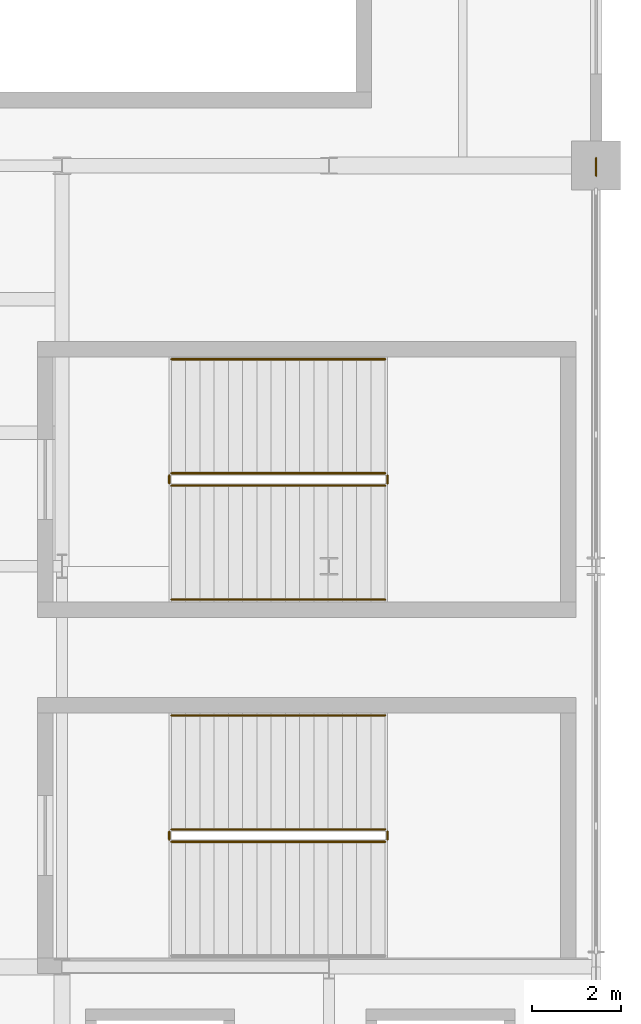
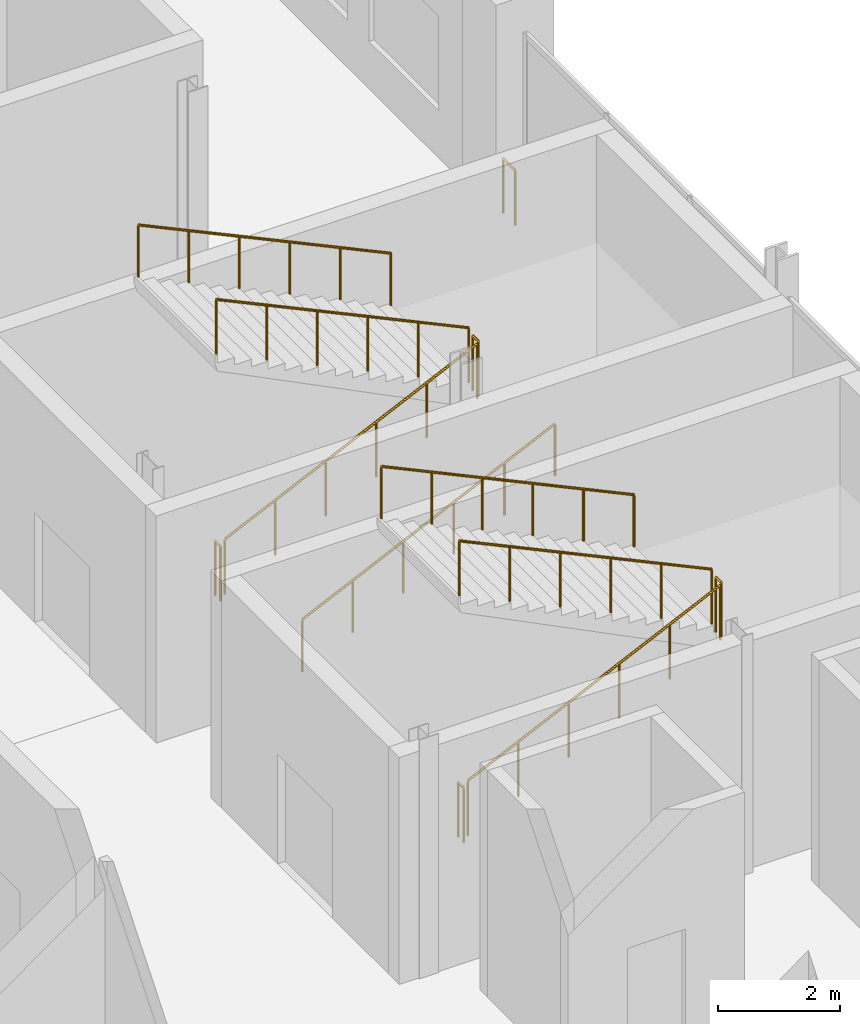
# One storey, part 50 of 50: 12 railings.
"""IFC4 building model written with IfcOpenShell, lengths in metres."""

from ifc_helpers import new_model, si_unit, direction, frame, origin, origin_2d, place, context, subcontext, project, spatial, circle, extrude, material, type_object, element, save


model = new_model("IFC4")

# Units and contexts
model_context = context("Model", 3, precision=1e-05, world=origin(), true_north=direction((0.0, 1.0)))
body_context = subcontext(model_context, "Body", "Model", "MODEL_VIEW")
ifc_project = project(units=[si_unit("LENGTHUNIT", "METRE"), si_unit("AREAUNIT", "SQUARE_METRE"), si_unit("VOLUMEUNIT", "CUBIC_METRE"), si_unit("PLANEANGLEUNIT", "RADIAN"), si_unit("MASSUNIT", "GRAM", prefix="KILO")], contexts=[model_context])

# Site, building, storey
site_placement = place(None, origin())
site = spatial("IfcSite", under=ifc_project, at=site_placement, CompositionType="ELEMENT")
building_placement = place(site_placement, origin())
building = spatial("IfcBuilding", under=site, at=building_placement, Name="Qamarlyn Nura Convention Centre", CompositionType="ELEMENT")
storey_placement = place(building_placement, frame((0.0, 0.0, 20.39990234375)))
storey = spatial("IfcBuildingStorey", under=building, at=storey_placement, Name="L04", CompositionType="ELEMENT", Elevation=20.39990234375)

# Railings
ifc_material = material(Name="Marine Grade 316 stainless steel", Category="steel")
railing_type_1 = type_object("IfcRailingType", Name="GRD-STAIR-112", PredefinedType="BALUSTRADE", material=ifc_material)
railing_1_placement = place(storey_placement, frame((182.4599609375, 65.81005859375, 0.150146484375)))
element("IfcRailing", 1, at=railing_1_placement, inside=storey, type_object=railing_type_1, Name="L04 ST-13 stair guard 1", PredefinedType="BALUSTRADE", context=body_context, shape_type="SweptSolid", body=[
    extrude(circle(Radius=0.02392578125, at=origin_2d()), frame((0.0, 0.0, 1.09619140625), z_axis=(0.90546059521, 0.0, 0.424430336476), x_axis=(0.0, 1.0, 0.0)), (0.0, 0.0, 1.0), 5.30126953125),
    extrude(circle(Radius=0.02099609375, at=origin_2d()), origin(), (0.0, 0.0, 1.0), 1.070068359375),
    extrude(circle(Radius=0.02099609375, at=origin_2d()), frame((0.9599609375, 0.0, 0.449951171875)), (0.0, 0.0, 1.0), 1.070068359375),
    extrude(circle(Radius=0.02099609375, at=origin_2d()), frame((1.919921875, 0.0, 0.89990234375)), (0.0, 0.0, 1.0), 1.070068359375),
    extrude(circle(Radius=0.02099609375, at=origin_2d()), frame((2.880126953125, 0.0, 1.35009765625)), (0.0, 0.0, 1.0), 1.070068359375),
    extrude(circle(Radius=0.02099609375, at=origin_2d()), frame((3.840087890625, 0.0, 1.800048828125)), (0.0, 0.0, 1.0), 1.070068359375),
    extrude(circle(Radius=0.02099609375, at=origin_2d()), frame((4.800048828125, 0.0, 2.25)), (0.0, 0.0, 1.0), 1.070068359375),
])
railing_2_placement = place(storey_placement, frame((187.31005859375, 65.860107421875, 2.400146484375)))
element("IfcRailing", 2, at=railing_2_placement, inside=storey, type_object=railing_type_1, Name="L04 ST-13 stair guard 2", PredefinedType="BALUSTRADE", context=body_context, shape_type="SweptSolid", body=[
    extrude(circle(Radius=0.02392578125, at=origin_2d()), frame((0.0, 0.0, 1.09619140625), z_axis=(0.0, 1.0, 0.0), x_axis=(-1.0, 0.0, 0.0)), (0.0, 0.0, 1.0), 0.179931640625),
    extrude(circle(Radius=0.02099609375, at=origin_2d()), origin(), (0.0, 0.0, 1.0), 1.070068359375),
    extrude(circle(Radius=0.02099609375, at=origin_2d()), frame((0.0, 0.179931640625, 0.0)), (0.0, 0.0, 1.0), 1.070068359375),
])
railing_3_placement = place(storey_placement, frame((187.260009765625, 66.090087890625, 2.550048828125)))
element("IfcRailing", 3, at=railing_3_placement, inside=storey, type_object=railing_type_1, Name="L04 ST-13 stair guard 3", PredefinedType="BALUSTRADE", context=body_context, shape_type="SweptSolid", body=[
    extrude(circle(Radius=0.02392578125, at=origin_2d()), frame((0.0, 0.0, 1.09619140625), z_axis=(-0.90546059521, 0.0, 0.424430336476), x_axis=(0.0, -1.0, 0.0)), (0.0, 0.0, 1.0), 5.30126953125),
    extrude(circle(Radius=0.02099609375, at=origin_2d()), origin(), (0.0, 0.0, 1.0), 1.070068359375),
    extrude(circle(Radius=0.02099609375, at=origin_2d()), frame((-0.9599609375, 0.0, 0.449951171875)), (0.0, 0.0, 1.0), 1.070068359375),
    extrude(circle(Radius=0.02099609375, at=origin_2d()), frame((-1.919921875, 0.0, 0.89990234375)), (0.0, 0.0, 1.0), 1.070068359375),
    extrude(circle(Radius=0.02099609375, at=origin_2d()), frame((-2.880126953125, 0.0, 1.35009765625)), (0.0, 0.0, 1.0), 1.070068359375),
    extrude(circle(Radius=0.02099609375, at=origin_2d()), frame((-3.840087890625, 0.0, 1.800048828125)), (0.0, 0.0, 1.0), 1.070068359375),
    extrude(circle(Radius=0.02099609375, at=origin_2d()), frame((-4.800048828125, 0.0, 2.25)), (0.0, 0.0, 1.0), 1.070068359375),
])
railing_4_placement = place(storey_placement, frame((182.409912109375, 65.860107421875, 0.0)))
element("IfcRailing", 4, at=railing_4_placement, inside=storey, type_object=railing_type_1, Name="L04 ST-13 stair guard 4", PredefinedType="BALUSTRADE", context=body_context, shape_type="SweptSolid", body=[
    extrude(circle(Radius=0.02392578125, at=origin_2d()), frame((0.0, 0.0, 1.09619140625), z_axis=(0.0, 1.0, 0.0), x_axis=(-1.0, 0.0, 0.0)), (0.0, 0.0, 1.0), 0.179931640625),
    extrude(circle(Radius=0.02099609375, at=origin_2d()), origin(), (0.0, 0.0, 1.0), 1.070068359375),
    extrude(circle(Radius=0.02099609375, at=origin_2d()), frame((0.0, 0.179931640625, 0.0)), (0.0, 0.0, 1.0), 1.070068359375),
])
railing_5_placement = place(storey_placement, frame((182.4599609375, 73.81005859375, 0.150146484375)))
element("IfcRailing", 5, at=railing_5_placement, inside=storey, type_object=railing_type_1, Name="L04 ST-14 stair guard 1", PredefinedType="BALUSTRADE", context=body_context, shape_type="SweptSolid", body=[
    extrude(circle(Radius=0.02392578125, at=origin_2d()), frame((0.0, 0.0, 1.09619140625), z_axis=(0.90546059521, 0.0, 0.424430336476), x_axis=(0.0, 1.0, 0.0)), (0.0, 0.0, 1.0), 5.30126953125),
    extrude(circle(Radius=0.02099609375, at=origin_2d()), origin(), (0.0, 0.0, 1.0), 1.070068359375),
    extrude(circle(Radius=0.02099609375, at=origin_2d()), frame((0.9599609375, 0.0, 0.449951171875)), (0.0, 0.0, 1.0), 1.070068359375),
    extrude(circle(Radius=0.02099609375, at=origin_2d()), frame((1.919921875, 0.0, 0.89990234375)), (0.0, 0.0, 1.0), 1.070068359375),
    extrude(circle(Radius=0.02099609375, at=origin_2d()), frame((2.880126953125, 0.0, 1.35009765625)), (0.0, 0.0, 1.0), 1.070068359375),
    extrude(circle(Radius=0.02099609375, at=origin_2d()), frame((3.840087890625, 0.0, 1.800048828125)), (0.0, 0.0, 1.0), 1.070068359375),
    extrude(circle(Radius=0.02099609375, at=origin_2d()), frame((4.800048828125, 0.0, 2.25)), (0.0, 0.0, 1.0), 1.070068359375),
])
railing_6_placement = place(storey_placement, frame((187.31005859375, 73.860107421875, 2.400146484375)))
element("IfcRailing", 6, at=railing_6_placement, inside=storey, type_object=railing_type_1, Name="L04 ST-14 stair guard 2", PredefinedType="BALUSTRADE", context=body_context, shape_type="SweptSolid", body=[
    extrude(circle(Radius=0.02392578125, at=origin_2d()), frame((0.0, 0.0, 1.09619140625), z_axis=(0.0, 1.0, 0.0), x_axis=(-1.0, 0.0, 0.0)), (0.0, 0.0, 1.0), 0.179931640625),
    extrude(circle(Radius=0.02099609375, at=origin_2d()), origin(), (0.0, 0.0, 1.0), 1.070068359375),
    extrude(circle(Radius=0.02099609375, at=origin_2d()), frame((0.0, 0.179931640625, 0.0)), (0.0, 0.0, 1.0), 1.070068359375),
])
railing_7_placement = place(storey_placement, frame((187.260009765625, 74.090087890625, 2.550048828125)))
element("IfcRailing", 7, at=railing_7_placement, inside=storey, type_object=railing_type_1, Name="L04 ST-14 stair guard 3", PredefinedType="BALUSTRADE", context=body_context, shape_type="SweptSolid", body=[
    extrude(circle(Radius=0.02392578125, at=origin_2d()), frame((0.0, 0.0, 1.09619140625), z_axis=(-0.90546059521, 0.0, 0.424430336476), x_axis=(0.0, -1.0, 0.0)), (0.0, 0.0, 1.0), 5.30126953125),
    extrude(circle(Radius=0.02099609375, at=origin_2d()), origin(), (0.0, 0.0, 1.0), 1.070068359375),
    extrude(circle(Radius=0.02099609375, at=origin_2d()), frame((-0.9599609375, 0.0, 0.449951171875)), (0.0, 0.0, 1.0), 1.070068359375),
    extrude(circle(Radius=0.02099609375, at=origin_2d()), frame((-1.919921875, 0.0, 0.89990234375)), (0.0, 0.0, 1.0), 1.070068359375),
    extrude(circle(Radius=0.02099609375, at=origin_2d()), frame((-2.880126953125, 0.0, 1.35009765625)), (0.0, 0.0, 1.0), 1.070068359375),
    extrude(circle(Radius=0.02099609375, at=origin_2d()), frame((-3.840087890625, 0.0, 1.800048828125)), (0.0, 0.0, 1.0), 1.070068359375),
    extrude(circle(Radius=0.02099609375, at=origin_2d()), frame((-4.800048828125, 0.0, 2.25)), (0.0, 0.0, 1.0), 1.070068359375),
])
railing_8_placement = place(storey_placement, frame((182.409912109375, 73.860107421875, 0.0)))
element("IfcRailing", 8, at=railing_8_placement, inside=storey, type_object=railing_type_1, Name="L04 ST-14 stair guard 4", PredefinedType="BALUSTRADE", context=body_context, shape_type="SweptSolid", body=[
    extrude(circle(Radius=0.02392578125, at=origin_2d()), frame((0.0, 0.0, 1.09619140625), z_axis=(0.0, 1.0, 0.0), x_axis=(-1.0, 0.0, 0.0)), (0.0, 0.0, 1.0), 0.179931640625),
    extrude(circle(Radius=0.02099609375, at=origin_2d()), origin(), (0.0, 0.0, 1.0), 1.070068359375),
    extrude(circle(Radius=0.02099609375, at=origin_2d()), frame((0.0, 0.179931640625, 0.0)), (0.0, 0.0, 1.0), 1.070068359375),
])
railing_type_2 = type_object("IfcRailingType", Name="GRD-VOID-112", PredefinedType="BALUSTRADE", material=ifc_material)
railing_9_placement = place(storey_placement, frame((192.0, 81.169921875, 0.0)))
element("IfcRailing", 9, at=railing_9_placement, inside=storey, type_object=railing_type_2, Name="L04 slab edge balustrade guard 086", PredefinedType="BALUSTRADE", context=body_context, shape_type="SweptSolid", body=[
    extrude(circle(Radius=0.02392578125, at=origin_2d()), frame((0.0, 0.0, 1.09619140625), z_axis=(0.0, -1.0, 0.0), x_axis=(1.0, 0.0, 0.0)), (0.0, 0.0, 1.0), 0.39990234375),
    extrude(circle(Radius=0.02099609375, at=origin_2d()), origin(), (0.0, 0.0, 1.0), 1.070068359375),
    extrude(circle(Radius=0.02099609375, at=origin_2d()), frame((0.0, -0.39990234375, 0.0)), (0.0, 0.0, 1.0), 1.070068359375),
])
railing_type_3 = type_object("IfcRailingType", Name="HRL-STAIR-090", PredefinedType="HANDRAIL", material=ifc_material)
railing_10_placement = place(storey_placement, frame((187.260009765625, 68.64990234375, 2.702392578125)))
element("IfcRailing", 10, at=railing_10_placement, inside=storey, type_object=railing_type_3, Name="L04 ST-13 stair handrail 2", PredefinedType="HANDRAIL", context=body_context, shape_type="SweptSolid", body=[
    extrude(circle(Radius=0.02392578125, at=origin_2d()), frame((0.0, 0.0, 0.88818359375), z_axis=(-0.90546059521, 0.0, 0.424430336476), x_axis=(0.0, -1.0, 0.0)), (0.0, 0.0, 1.0), 5.30126953125),
    extrude(circle(Radius=0.02099609375, at=origin_2d()), frame((0.0, 0.0, -0.155029296875)), (0.0, 0.0, 1.0), 1.01708984375),
    extrude(circle(Radius=0.02099609375, at=origin_2d()), frame((-0.9599609375, 0.0, 0.294921875)), (0.0, 0.0, 1.0), 1.01708984375),
    extrude(circle(Radius=0.02099609375, at=origin_2d()), frame((-1.919921875, 0.0, 0.744873046875)), (0.0, 0.0, 1.0), 1.01708984375),
    extrude(circle(Radius=0.02099609375, at=origin_2d()), frame((-2.880126953125, 0.0, 1.195068359375)), (0.0, 0.0, 1.0), 1.01708984375),
    extrude(circle(Radius=0.02099609375, at=origin_2d()), frame((-3.840087890625, 0.0, 1.64501953125)), (0.0, 0.0, 1.0), 1.01708984375),
    extrude(circle(Radius=0.02099609375, at=origin_2d()), frame((-4.800048828125, 0.0, 2.094970703125)), (0.0, 0.0, 1.0), 1.01708984375),
])
railing_11_placement = place(storey_placement, frame((182.4599609375, 71.25, 0.302490234375)))
element("IfcRailing", 11, at=railing_11_placement, inside=storey, type_object=railing_type_3, Name="L04 ST-14 stair handrail 1", PredefinedType="HANDRAIL", context=body_context, shape_type="SweptSolid", body=[
    extrude(circle(Radius=0.02392578125, at=origin_2d()), frame((0.0, 0.0, 0.88818359375), z_axis=(0.90546059521, 0.0, 0.424430336476), x_axis=(0.0, 1.0, 0.0)), (0.0, 0.0, 1.0), 5.30126953125),
    extrude(circle(Radius=0.02099609375, at=origin_2d()), frame((0.0, 0.0, -0.155029296875)), (0.0, 0.0, 1.0), 1.01708984375),
    extrude(circle(Radius=0.02099609375, at=origin_2d()), frame((0.9599609375, 0.0, 0.294921875)), (0.0, 0.0, 1.0), 1.01708984375),
    extrude(circle(Radius=0.02099609375, at=origin_2d()), frame((1.919921875, 0.0, 0.744873046875)), (0.0, 0.0, 1.0), 1.01708984375),
    extrude(circle(Radius=0.02099609375, at=origin_2d()), frame((2.880126953125, 0.0, 1.195068359375)), (0.0, 0.0, 1.0), 1.01708984375),
    extrude(circle(Radius=0.02099609375, at=origin_2d()), frame((3.840087890625, 0.0, 1.64501953125)), (0.0, 0.0, 1.0), 1.01708984375),
    extrude(circle(Radius=0.02099609375, at=origin_2d()), frame((4.800048828125, 0.0, 2.094970703125)), (0.0, 0.0, 1.0), 1.01708984375),
])
railing_12_placement = place(storey_placement, frame((187.260009765625, 76.64990234375, 2.702392578125)))
element("IfcRailing", 12, at=railing_12_placement, inside=storey, type_object=railing_type_3, Name="L04 ST-14 stair handrail 2", PredefinedType="HANDRAIL", context=body_context, shape_type="SweptSolid", body=[
    extrude(circle(Radius=0.02392578125, at=origin_2d()), frame((0.0, 0.0, 0.88818359375), z_axis=(-0.90546059521, 0.0, 0.424430336476), x_axis=(0.0, -1.0, 0.0)), (0.0, 0.0, 1.0), 5.30126953125),
    extrude(circle(Radius=0.02099609375, at=origin_2d()), frame((0.0, 0.0, -0.155029296875)), (0.0, 0.0, 1.0), 1.01708984375),
    extrude(circle(Radius=0.02099609375, at=origin_2d()), frame((-0.9599609375, 0.0, 0.294921875)), (0.0, 0.0, 1.0), 1.01708984375),
    extrude(circle(Radius=0.02099609375, at=origin_2d()), frame((-1.919921875, 0.0, 0.744873046875)), (0.0, 0.0, 1.0), 1.01708984375),
    extrude(circle(Radius=0.02099609375, at=origin_2d()), frame((-2.880126953125, 0.0, 1.195068359375)), (0.0, 0.0, 1.0), 1.01708984375),
    extrude(circle(Radius=0.02099609375, at=origin_2d()), frame((-3.840087890625, 0.0, 1.64501953125)), (0.0, 0.0, 1.0), 1.01708984375),
    extrude(circle(Radius=0.02099609375, at=origin_2d()), frame((-4.800048828125, 0.0, 2.094970703125)), (0.0, 0.0, 1.0), 1.01708984375),
])

save(model, "model.ifc")
